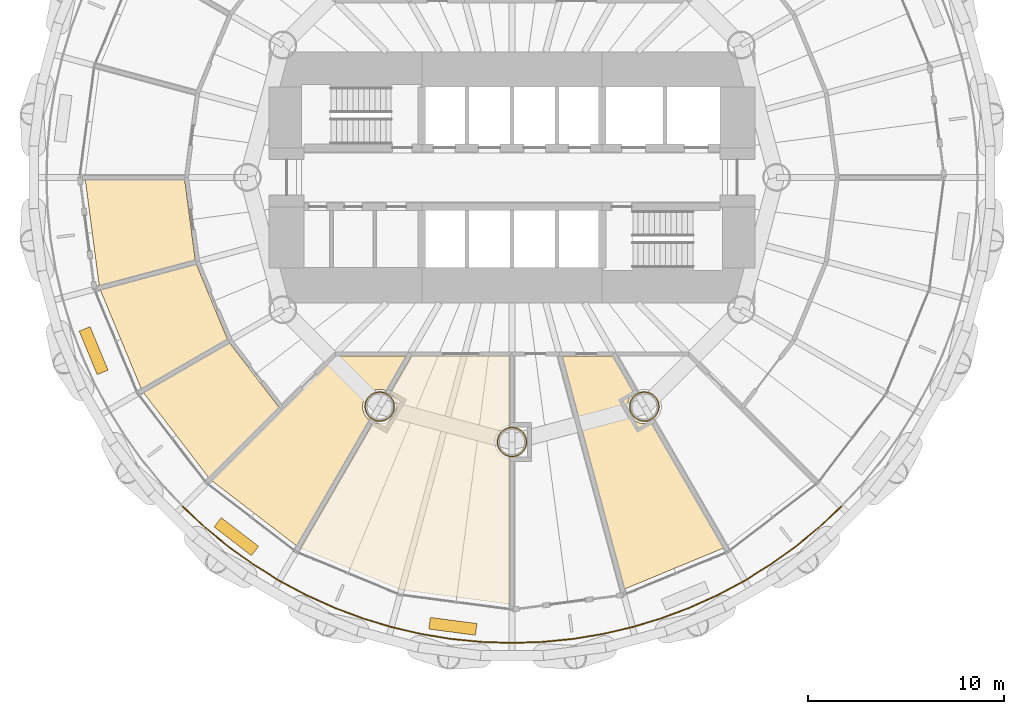
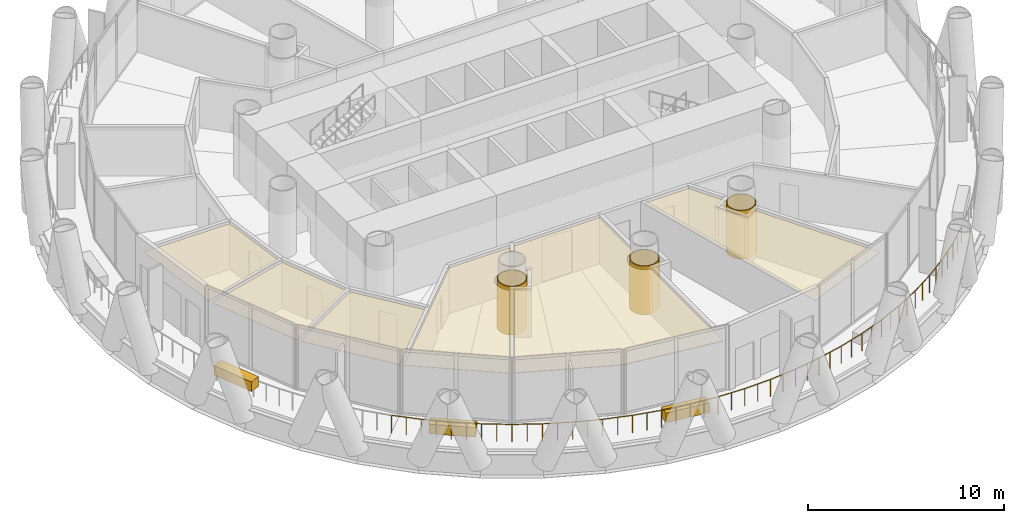
# One storey, part 13 of 16: 12 coverings, 1 railing.
"""IFC4 building model written with IfcOpenShell, lengths in metres."""

from ifc_helpers import new_model, si_unit, direction, frame, origin, origin_2d, place, context, subcontext, project, spatial, polyline, rectangle, circle, outline, extrude, material, layer, layer_set, type_object, element, save


model = new_model("IFC4")

# Units and contexts
model_context = context("Model", 3, precision=1e-05, world=origin(), true_north=direction((0.0, 1.0)))
body_context = subcontext(model_context, "Body", "Model", "MODEL_VIEW")
ifc_project = project(units=[si_unit("LENGTHUNIT", "METRE"), si_unit("AREAUNIT", "SQUARE_METRE"), si_unit("VOLUMEUNIT", "CUBIC_METRE"), si_unit("PLANEANGLEUNIT", "RADIAN"), si_unit("MASSUNIT", "GRAM", prefix="KILO")], contexts=[model_context])

# Site, building, storey
site_placement = place(None, origin())
site = spatial("IfcSite", under=ifc_project, at=site_placement, CompositionType="ELEMENT")
building_placement = place(site_placement, origin())
building = spatial("IfcBuilding", under=site, at=building_placement, Name="Qaws Media Tower", CompositionType="ELEMENT")
storey_placement = place(building_placement, frame((0.0, 0.0, 47.0)))
storey = spatial("IfcBuildingStorey", under=building, at=storey_placement, Name="L09", CompositionType="ELEMENT", Elevation=47.0)

# Covering
ifc_material_1 = material(Name="40 perforated acoustic panels with mineral wool backing, suspended", Category="mineral fibre")
ifc_layer_1 = layer(ifc_material_1, 0.0400390625)
ifc_layer_set_1 = layer_set([ifc_layer_1], Name="Acoustic panel ceiling 40")
covering_type_1 = type_object("IfcCoveringType", Name="Acoustic panel ceiling 40", PredefinedType="CEILING", material=ifc_layer_set_1)
covering_1_placement = place(storey_placement, frame((0.0, 0.0, 2.85009765625)))
element("IfcCovering", 1, at=covering_1_placement, inside=storey, type_object=covering_type_1, Name="CL3 ceiling L09-11 Audio dubbing theatre", PredefinedType="CEILING", context=body_context, shape_type="SweptSolid", body=[
    extrude(outline(polyline([(54.361572265625, 28.95703125), (49.212158203125, 31.090087890625), (52.91552734375, 37.50439453125), (53.024658203125, 37.46728515625), (53.13623046875, 37.445068359375), (53.25, 37.437744140625), (53.36376953125, 37.445068359375), (53.475341796875, 37.46728515625), (53.583251953125, 37.50390625), (53.685546875, 37.55419921875), (53.7802734375, 37.61767578125), (53.865966796875, 37.69287109375), (53.94091796875, 37.7783203125), (54.00439453125, 37.873291015625), (54.0546875, 37.975341796875), (54.09130859375, 38.083251953125), (54.113525390625, 38.195068359375), (54.12109375, 38.30859375), (54.113525390625, 38.42236328125), (54.09130859375, 38.5341796875), (54.0546875, 38.64208984375), (54.00439453125, 38.744140625), (53.94091796875, 38.8388671875), (53.865966796875, 38.924560546875), (53.779296875, 39.000244140625), (54.868896484375, 40.887451171875), (59.887451171875, 40.887451171875), (59.887451171875, 37.363525390625), (59.774658203125, 37.34130859375), (59.666748046875, 37.3046875), (59.564453125, 37.25439453125), (59.4697265625, 37.19091796875), (59.384033203125, 37.115966796875), (59.30908203125, 37.0302734375), (59.24560546875, 36.935546875), (59.1953125, 36.833251953125), (59.15869140625, 36.725341796875), (59.136474609375, 36.61376953125), (59.12890625, 36.5), (59.136474609375, 36.38623046875), (59.15869140625, 36.274658203125), (59.1953125, 36.166748046875), (59.24560546875, 36.064453125), (59.30908203125, 35.9697265625), (59.384033203125, 35.884033203125), (59.4697265625, 35.80908203125), (59.564453125, 35.74560546875), (59.666748046875, 35.6953125), (59.774658203125, 35.65869140625), (59.887451171875, 35.636474609375), (59.887451171875, 28.2294921875), (54.361572265625, 28.95703125)])), origin(), (0.0, 0.0, 1.0), 0.039794921875),
])

# Railing
ifc_material_2 = material(Name="Stainless steel and glass guard", Category="steel")
railing_type = type_object("IfcRailingType", Name="Balcony guard 1100", PredefinedType="GUARDRAIL", material=ifc_material_2)
railing_placement = place(storey_placement, frame((43.206298828125, 33.206298828125, 0.0)))
element("IfcRailing", 2, at=railing_placement, inside=storey, type_object=railing_type, Name="GR1 balcony guard L09-3", PredefinedType="GUARDRAIL", context=body_context, shape_type="SweptSolid", body=[
    extrude(circle(Radius=0.02392578125, at=origin_2d()), frame((0.0, 0.0, 1.076171875), z_axis=(0.729821267522, -0.683638001777, 0.0), x_axis=(0.683638001777, 0.729821267522, 0.0)), (0.0, 0.0, 1.0), 1.55419921875),
    extrude(circle(Radius=0.02392578125, at=origin_2d()), frame((1.13427734375, -1.0625, 1.076171875), z_axis=(0.773053617773, -0.634340684529, 0.0), x_axis=(0.634340684529, 0.773053617773, 0.0)), (0.0, 0.0, 1.0), 1.55419921875),
    extrude(circle(Radius=0.02392578125, at=origin_2d()), frame((2.335693359375, -2.04833984375, 1.076171875), z_axis=(0.812819606983, -0.582515481773, 0.0), x_axis=(0.582515481773, 0.812819606983, 0.0)), (0.0, 0.0, 1.0), 1.553955078125),
    extrude(circle(Radius=0.02392578125, at=origin_2d()), frame((3.598876953125, -2.95361328125, 1.076171875), z_axis=(0.849178711534, -0.528105591598, 0.0), x_axis=(0.528105591598, 0.849178711534, 0.0)), (0.0, 0.0, 1.0), 1.55419921875),
    extrude(circle(Radius=0.02392578125, at=origin_2d()), frame((4.918701171875, -3.7744140625, 1.076171875), z_axis=(0.881904644069, -0.471427829863, 0.0), x_axis=(0.471427829863, 0.881904644069, 0.0)), (0.0, 0.0, 1.0), 1.55419921875),
    extrude(circle(Radius=0.02392578125, at=origin_2d()), frame((6.289306640625, -4.507080078125, 1.076171875), z_axis=(0.910892916881, -0.412642816459, 0.0), x_axis=(0.412642816459, 0.910892916881, 0.0)), (0.0, 0.0, 1.0), 1.55419921875),
    extrude(circle(Radius=0.02392578125, at=origin_2d()), frame((7.705078125, -5.1484375, 1.076171875), z_axis=(0.935908829299, -0.352242335956, 0.0), x_axis=(0.352242335956, 0.935908829299, 0.0)), (0.0, 0.0, 1.0), 1.553955078125),
    extrude(circle(Radius=0.02392578125, at=origin_2d()), frame((9.159423828125, -5.69580078125, 1.076171875), z_axis=(0.956939811961, -0.290286403891, 0.0), x_axis=(0.290286403891, 0.956939811961, 0.0)), (0.0, 0.0, 1.0), 1.55419921875),
    extrude(circle(Radius=0.02392578125, at=origin_2d()), frame((10.646728515625, -6.14697265625, 1.076171875), z_axis=(0.97386437695, -0.227130304689, 0.0), x_axis=(0.227130304689, 0.97386437695, 0.0)), (0.0, 0.0, 1.0), 1.55419921875),
    extrude(circle(Radius=0.02392578125, at=origin_2d()), frame((12.160400390625, -6.5, 1.076171875), z_axis=(0.986639094643, -0.162921137125, 0.0), x_axis=(0.162921137125, 0.986639094643, 0.0)), (0.0, 0.0, 1.0), 1.553955078125),
    extrude(circle(Radius=0.02392578125, at=origin_2d()), frame((13.693603515625, -6.753173828125, 1.076171875), z_axis=(0.995185362969, -0.098010679686, 0.0), x_axis=(0.098010679686, 0.995185362969, 0.0)), (0.0, 0.0, 1.0), 1.554443359375),
    extrude(circle(Radius=0.02392578125, at=origin_2d()), frame((15.240478515625, -6.905517578125, 1.076171875), z_axis=(0.999465975293, -0.032676661877, 0.0), x_axis=(0.032676661877, 0.999465975293, 0.0)), (0.0, 0.0, 1.0), 1.553955078125),
    extrude(circle(Radius=0.02392578125, at=origin_2d()), frame((16.793701171875, -6.956298828125, 1.076171875), z_axis=(0.999465975293, 0.032676661877, 0.0), x_axis=(-0.032676661877, 0.999465975293, 0.0)), (0.0, 0.0, 1.0), 1.553955078125),
    extrude(circle(Radius=0.02392578125, at=origin_2d()), frame((18.346923828125, -6.905517578125, 1.076171875), z_axis=(0.995185362969, 0.098010679686, 0.0), x_axis=(-0.098010679686, 0.995185362969, 0.0)), (0.0, 0.0, 1.0), 1.554443359375),
    extrude(circle(Radius=0.02392578125, at=origin_2d()), frame((19.893798828125, -6.753173828125, 1.076171875), z_axis=(0.986639094643, 0.162921137125, 0.0), x_axis=(-0.162921137125, 0.986639094643, 0.0)), (0.0, 0.0, 1.0), 1.553955078125),
    extrude(circle(Radius=0.02392578125, at=origin_2d()), frame((21.427001953125, -6.5, 1.076171875), z_axis=(0.97386437695, 0.227130304689, 0.0), x_axis=(-0.227130304689, 0.97386437695, 0.0)), (0.0, 0.0, 1.0), 1.55419921875),
    extrude(circle(Radius=0.02392578125, at=origin_2d()), frame((22.940673828125, -6.14697265625, 1.076171875), z_axis=(0.956939811961, 0.290286403891, 0.0), x_axis=(-0.290286403891, 0.956939811961, 0.0)), (0.0, 0.0, 1.0), 1.55419921875),
    extrude(circle(Radius=0.02392578125, at=origin_2d()), frame((24.427978515625, -5.69580078125, 1.076171875), z_axis=(0.935908829299, 0.352242335956, 0.0), x_axis=(-0.352242335956, 0.935908829299, 0.0)), (0.0, 0.0, 1.0), 1.553955078125),
    extrude(circle(Radius=0.02392578125, at=origin_2d()), frame((25.88232421875, -5.1484375, 1.076171875), z_axis=(0.910892916881, 0.412642816459, 0.0), x_axis=(-0.412642816459, 0.910892916881, 0.0)), (0.0, 0.0, 1.0), 1.55419921875),
    extrude(circle(Radius=0.02392578125, at=origin_2d()), frame((27.298095703125, -4.507080078125, 1.076171875), z_axis=(0.881904644069, 0.471427829863, 0.0), x_axis=(-0.471427829863, 0.881904644069, 0.0)), (0.0, 0.0, 1.0), 1.55419921875),
    extrude(circle(Radius=0.02392578125, at=origin_2d()), frame((28.668701171875, -3.7744140625, 1.076171875), z_axis=(0.849178711534, 0.528105591598, 0.0), x_axis=(-0.528105591598, 0.849178711534, 0.0)), (0.0, 0.0, 1.0), 1.55419921875),
    extrude(circle(Radius=0.02392578125, at=origin_2d()), frame((29.988525390625, -2.95361328125, 1.076171875), z_axis=(0.812819606983, 0.582515481773, 0.0), x_axis=(-0.582515481773, 0.812819606983, 0.0)), (0.0, 0.0, 1.0), 1.553955078125),
    extrude(circle(Radius=0.02392578125, at=origin_2d()), frame((31.251708984375, -2.04833984375, 1.076171875), z_axis=(0.773053617773, 0.634340684529, 0.0), x_axis=(-0.634340684529, 0.773053617773, 0.0)), (0.0, 0.0, 1.0), 1.55419921875),
    extrude(circle(Radius=0.02392578125, at=origin_2d()), frame((32.453125, -1.0625, 1.076171875), z_axis=(0.729821267522, 0.683638001777, 0.0), x_axis=(-0.683638001777, 0.729821267522, 0.0)), (0.0, 0.0, 1.0), 1.55419921875),
    extrude(circle(Radius=0.02099609375, at=origin_2d()), origin(), (0.0, 0.0, 1.0), 1.052001953125),
    extrude(circle(Radius=0.02099609375, at=origin_2d()), frame((0.567138671875, -0.53125, 0.0)), (0.0, 0.0, 1.0), 1.052001953125),
    extrude(circle(Radius=0.02099609375, at=origin_2d()), frame((1.13427734375, -1.0625, 0.0)), (0.0, 0.0, 1.0), 1.052001953125),
    extrude(circle(Radius=0.02099609375, at=origin_2d()), frame((1.73486328125, -1.555419921875, 0.0)), (0.0, 0.0, 1.0), 1.052001953125),
    extrude(circle(Radius=0.02099609375, at=origin_2d()), frame((2.335693359375, -2.04833984375, 0.0)), (0.0, 0.0, 1.0), 1.052001953125),
    extrude(circle(Radius=0.02099609375, at=origin_2d()), frame((2.96728515625, -2.5009765625, 0.0)), (0.0, 0.0, 1.0), 1.052001953125),
    extrude(circle(Radius=0.02099609375, at=origin_2d()), frame((3.598876953125, -2.95361328125, 0.0)), (0.0, 0.0, 1.0), 1.052001953125),
    extrude(circle(Radius=0.02099609375, at=origin_2d()), frame((4.2587890625, -3.364013671875, 0.0)), (0.0, 0.0, 1.0), 1.052001953125),
    extrude(circle(Radius=0.02099609375, at=origin_2d()), frame((4.918701171875, -3.7744140625, 0.0)), (0.0, 0.0, 1.0), 1.052001953125),
    extrude(circle(Radius=0.02099609375, at=origin_2d()), frame((5.60400390625, -4.140625, 0.0)), (0.0, 0.0, 1.0), 1.052001953125),
    extrude(circle(Radius=0.02099609375, at=origin_2d()), frame((6.289306640625, -4.507080078125, 0.0)), (0.0, 0.0, 1.0), 1.052001953125),
    extrude(circle(Radius=0.02099609375, at=origin_2d()), frame((6.9970703125, -4.82763671875, 0.0)), (0.0, 0.0, 1.0), 1.052001953125),
    extrude(circle(Radius=0.02099609375, at=origin_2d()), frame((7.705078125, -5.1484375, 0.0)), (0.0, 0.0, 1.0), 1.052001953125),
    extrude(circle(Radius=0.02099609375, at=origin_2d()), frame((8.43212890625, -5.422119140625, 0.0)), (0.0, 0.0, 1.0), 1.052001953125),
    extrude(circle(Radius=0.02099609375, at=origin_2d()), frame((9.159423828125, -5.69580078125, 0.0)), (0.0, 0.0, 1.0), 1.052001953125),
    extrude(circle(Radius=0.02099609375, at=origin_2d()), frame((9.903076171875, -5.92138671875, 0.0)), (0.0, 0.0, 1.0), 1.052001953125),
    extrude(circle(Radius=0.02099609375, at=origin_2d()), frame((10.646728515625, -6.14697265625, 0.0)), (0.0, 0.0, 1.0), 1.052001953125),
    extrude(circle(Radius=0.02099609375, at=origin_2d()), frame((11.403564453125, -6.323486328125, 0.0)), (0.0, 0.0, 1.0), 1.052001953125),
    extrude(circle(Radius=0.02099609375, at=origin_2d()), frame((12.160400390625, -6.5, 0.0)), (0.0, 0.0, 1.0), 1.052001953125),
    extrude(circle(Radius=0.02099609375, at=origin_2d()), frame((12.927001953125, -6.62646484375, 0.0)), (0.0, 0.0, 1.0), 1.052001953125),
    extrude(circle(Radius=0.02099609375, at=origin_2d()), frame((13.693603515625, -6.753173828125, 0.0)), (0.0, 0.0, 1.0), 1.052001953125),
    extrude(circle(Radius=0.02099609375, at=origin_2d()), frame((14.467041015625, -6.829345703125, 0.0)), (0.0, 0.0, 1.0), 1.052001953125),
    extrude(circle(Radius=0.02099609375, at=origin_2d()), frame((15.240478515625, -6.905517578125, 0.0)), (0.0, 0.0, 1.0), 1.052001953125),
    extrude(circle(Radius=0.02099609375, at=origin_2d()), frame((16.01708984375, -6.930908203125, 0.0)), (0.0, 0.0, 1.0), 1.052001953125),
    extrude(circle(Radius=0.02099609375, at=origin_2d()), frame((16.793701171875, -6.956298828125, 0.0)), (0.0, 0.0, 1.0), 1.052001953125),
    extrude(circle(Radius=0.02099609375, at=origin_2d()), frame((17.5703125, -6.930908203125, 0.0)), (0.0, 0.0, 1.0), 1.052001953125),
    extrude(circle(Radius=0.02099609375, at=origin_2d()), frame((18.346923828125, -6.905517578125, 0.0)), (0.0, 0.0, 1.0), 1.052001953125),
    extrude(circle(Radius=0.02099609375, at=origin_2d()), frame((19.120361328125, -6.829345703125, 0.0)), (0.0, 0.0, 1.0), 1.052001953125),
    extrude(circle(Radius=0.02099609375, at=origin_2d()), frame((19.893798828125, -6.753173828125, 0.0)), (0.0, 0.0, 1.0), 1.052001953125),
    extrude(circle(Radius=0.02099609375, at=origin_2d()), frame((20.660400390625, -6.62646484375, 0.0)), (0.0, 0.0, 1.0), 1.052001953125),
    extrude(circle(Radius=0.02099609375, at=origin_2d()), frame((21.427001953125, -6.5, 0.0)), (0.0, 0.0, 1.0), 1.052001953125),
    extrude(circle(Radius=0.02099609375, at=origin_2d()), frame((22.183837890625, -6.323486328125, 0.0)), (0.0, 0.0, 1.0), 1.052001953125),
    extrude(circle(Radius=0.02099609375, at=origin_2d()), frame((22.940673828125, -6.14697265625, 0.0)), (0.0, 0.0, 1.0), 1.052001953125),
    extrude(circle(Radius=0.02099609375, at=origin_2d()), frame((23.684326171875, -5.92138671875, 0.0)), (0.0, 0.0, 1.0), 1.052001953125),
    extrude(circle(Radius=0.02099609375, at=origin_2d()), frame((24.427978515625, -5.69580078125, 0.0)), (0.0, 0.0, 1.0), 1.052001953125),
    extrude(circle(Radius=0.02099609375, at=origin_2d()), frame((25.1552734375, -5.422119140625, 0.0)), (0.0, 0.0, 1.0), 1.052001953125),
    extrude(circle(Radius=0.02099609375, at=origin_2d()), frame((25.88232421875, -5.1484375, 0.0)), (0.0, 0.0, 1.0), 1.052001953125),
    extrude(circle(Radius=0.02099609375, at=origin_2d()), frame((26.59033203125, -4.82763671875, 0.0)), (0.0, 0.0, 1.0), 1.052001953125),
    extrude(circle(Radius=0.02099609375, at=origin_2d()), frame((27.298095703125, -4.507080078125, 0.0)), (0.0, 0.0, 1.0), 1.052001953125),
    extrude(circle(Radius=0.02099609375, at=origin_2d()), frame((27.9833984375, -4.140625, 0.0)), (0.0, 0.0, 1.0), 1.052001953125),
    extrude(circle(Radius=0.02099609375, at=origin_2d()), frame((28.668701171875, -3.7744140625, 0.0)), (0.0, 0.0, 1.0), 1.052001953125),
    extrude(circle(Radius=0.02099609375, at=origin_2d()), frame((29.32861328125, -3.364013671875, 0.0)), (0.0, 0.0, 1.0), 1.052001953125),
    extrude(circle(Radius=0.02099609375, at=origin_2d()), frame((29.988525390625, -2.95361328125, 0.0)), (0.0, 0.0, 1.0), 1.052001953125),
    extrude(circle(Radius=0.02099609375, at=origin_2d()), frame((30.6201171875, -2.5009765625, 0.0)), (0.0, 0.0, 1.0), 1.052001953125),
    extrude(circle(Radius=0.02099609375, at=origin_2d()), frame((31.251708984375, -2.04833984375, 0.0)), (0.0, 0.0, 1.0), 1.052001953125),
    extrude(circle(Radius=0.02099609375, at=origin_2d()), frame((31.8525390625, -1.555419921875, 0.0)), (0.0, 0.0, 1.0), 1.052001953125),
    extrude(circle(Radius=0.02099609375, at=origin_2d()), frame((32.453125, -1.0625, 0.0)), (0.0, 0.0, 1.0), 1.052001953125),
    extrude(circle(Radius=0.02099609375, at=origin_2d()), frame((33.020263671875, -0.53125, 0.0)), (0.0, 0.0, 1.0), 1.052001953125),
    extrude(circle(Radius=0.02099609375, at=origin_2d()), frame((33.58740234375, 0.0, 0.0)), (0.0, 0.0, 1.0), 1.052001953125),
])

# Coverings
ifc_material_3 = material(Name="Two layers 15 fire-rated gypsum board on steel framing", Category="steel")
ifc_layer_2 = layer(ifc_material_3, 0.050048828125)
ifc_layer_set_2 = layer_set([ifc_layer_2], Name="Column fire casing")
covering_type_2 = type_object("IfcCoveringType", Name="Column fire casing", PredefinedType="CLADDING", material=ifc_layer_set_2)
covering_2_placement = place(storey_placement, origin())
element("IfcCovering", 3, at=covering_2_placement, inside=storey, type_object=covering_type_2, Name="CC1 column casing L09", PredefinedType="CLADDING", context=body_context, shape_type="SweptSolid", body=[
    extrude(outline(polyline([(54.01611328125, 38.30859375), (54.009521484375, 38.208740234375), (53.989990234375, 38.1103515625), (53.957763671875, 38.015380859375), (53.913330078125, 37.92578125), (53.857666015625, 37.84228515625), (53.79150390625, 37.76708984375), (53.71630859375, 37.700927734375), (53.633056640625, 37.645263671875), (53.543212890625, 37.60107421875), (53.4482421875, 37.56884765625), (53.35009765625, 37.54931640625), (53.25, 37.542724609375), (53.14990234375, 37.54931640625), (53.0517578125, 37.56884765625), (52.956787109375, 37.60107421875), (52.866943359375, 37.645263671875), (52.78369140625, 37.700927734375), (52.70849609375, 37.76708984375), (52.642333984375, 37.84228515625), (52.586669921875, 37.92578125), (52.542236328125, 38.015380859375), (52.510009765625, 38.1103515625), (52.490478515625, 38.208740234375), (52.48388671875, 38.30859375), (52.490478515625, 38.40869140625), (52.510009765625, 38.5068359375), (52.542236328125, 38.601806640625), (52.586669921875, 38.691650390625), (52.642333984375, 38.77490234375), (52.70849609375, 38.850341796875), (52.78369140625, 38.91650390625), (52.866943359375, 38.971923828125), (52.956787109375, 39.016357421875), (53.0517578125, 39.048583984375), (53.14990234375, 39.068115234375), (53.25, 39.07470703125), (53.35009765625, 39.068115234375), (53.4482421875, 39.048583984375), (53.543212890625, 39.016357421875), (53.633056640625, 38.971923828125), (53.71630859375, 38.91650390625), (53.79150390625, 38.850341796875), (53.857666015625, 38.77490234375), (53.913330078125, 38.691650390625), (53.957763671875, 38.601806640625), (53.989990234375, 38.5068359375), (54.009521484375, 38.40869140625), (54.01611328125, 38.30859375)]), holes=[polyline([(53.964111328125, 38.30859375), (53.9580078125, 38.215576171875), (53.939697265625, 38.123779296875), (53.90966796875, 38.035400390625), (53.868408203125, 37.95166015625), (53.81640625, 37.8740234375), (53.7548828125, 37.8037109375), (53.684814453125, 37.7421875), (53.60693359375, 37.690185546875), (53.523193359375, 37.64892578125), (53.434814453125, 37.618896484375), (53.34326171875, 37.600830078125), (53.25, 37.5947265625), (53.15673828125, 37.600830078125), (53.065185546875, 37.618896484375), (52.976806640625, 37.64892578125), (52.89306640625, 37.690185546875), (52.815185546875, 37.7421875), (52.7451171875, 37.8037109375), (52.68359375, 37.8740234375), (52.631591796875, 37.95166015625), (52.59033203125, 38.035400390625), (52.560302734375, 38.123779296875), (52.5419921875, 38.215576171875), (52.535888671875, 38.30859375), (52.5419921875, 38.40185546875), (52.560302734375, 38.493408203125), (52.59033203125, 38.581787109375), (52.631591796875, 38.665771484375), (52.68359375, 38.743408203125), (52.7451171875, 38.8134765625), (52.815185546875, 38.875), (52.89306640625, 38.927001953125), (52.976806640625, 38.96826171875), (53.065185546875, 38.998291015625), (53.15673828125, 39.0166015625), (53.25, 39.022705078125), (53.34326171875, 39.0166015625), (53.434814453125, 38.998291015625), (53.523193359375, 38.96826171875), (53.60693359375, 38.927001953125), (53.684814453125, 38.875), (53.7548828125, 38.8134765625), (53.81640625, 38.743408203125), (53.868408203125, 38.665771484375), (53.90966796875, 38.581787109375), (53.939697265625, 38.493408203125), (53.9580078125, 38.40185546875), (53.964111328125, 38.30859375)])]), origin(), (0.0, 0.0, 1.0), 3.02001953125),
])
covering_3_placement = place(storey_placement, origin())
element("IfcCovering", 4, at=covering_3_placement, inside=storey, type_object=covering_type_2, Name="CC1 column casing L09", PredefinedType="CLADDING", context=body_context, shape_type="SweptSolid", body=[
    extrude(outline(polyline([(60.76611328125, 36.5), (60.759521484375, 36.39990234375), (60.739990234375, 36.3017578125), (60.707763671875, 36.206787109375), (60.663330078125, 36.116943359375), (60.607666015625, 36.03369140625), (60.54150390625, 35.95849609375), (60.46630859375, 35.892333984375), (60.383056640625, 35.836669921875), (60.293212890625, 35.792236328125), (60.1982421875, 35.760009765625), (60.10009765625, 35.740478515625), (60.0, 35.73388671875), (59.89990234375, 35.740478515625), (59.8017578125, 35.760009765625), (59.706787109375, 35.792236328125), (59.616943359375, 35.836669921875), (59.53369140625, 35.892333984375), (59.45849609375, 35.95849609375), (59.392333984375, 36.03369140625), (59.336669921875, 36.116943359375), (59.292236328125, 36.206787109375), (59.260009765625, 36.3017578125), (59.240478515625, 36.39990234375), (59.23388671875, 36.5), (59.240478515625, 36.60009765625), (59.260009765625, 36.6982421875), (59.292236328125, 36.793212890625), (59.336669921875, 36.883056640625), (59.392333984375, 36.96630859375), (59.45849609375, 37.04150390625), (59.53369140625, 37.107666015625), (59.616943359375, 37.163330078125), (59.706787109375, 37.207763671875), (59.8017578125, 37.239990234375), (59.89990234375, 37.259521484375), (60.0, 37.26611328125), (60.10009765625, 37.259521484375), (60.1982421875, 37.239990234375), (60.293212890625, 37.207763671875), (60.383056640625, 37.163330078125), (60.46630859375, 37.107666015625), (60.54150390625, 37.04150390625), (60.607666015625, 36.96630859375), (60.663330078125, 36.883056640625), (60.707763671875, 36.793212890625), (60.739990234375, 36.6982421875), (60.759521484375, 36.60009765625), (60.76611328125, 36.5)]), holes=[polyline([(60.714111328125, 36.5), (60.7080078125, 36.40673828125), (60.689697265625, 36.315185546875), (60.65966796875, 36.226806640625), (60.618408203125, 36.14306640625), (60.56640625, 36.065185546875), (60.5048828125, 35.9951171875), (60.434814453125, 35.93359375), (60.35693359375, 35.881591796875), (60.273193359375, 35.84033203125), (60.184814453125, 35.810302734375), (60.09326171875, 35.7919921875), (60.0, 35.785888671875), (59.90673828125, 35.7919921875), (59.815185546875, 35.810302734375), (59.726806640625, 35.84033203125), (59.64306640625, 35.881591796875), (59.565185546875, 35.93359375), (59.4951171875, 35.9951171875), (59.43359375, 36.065185546875), (59.381591796875, 36.14306640625), (59.34033203125, 36.226806640625), (59.310302734375, 36.315185546875), (59.2919921875, 36.40673828125), (59.285888671875, 36.5), (59.2919921875, 36.59326171875), (59.310302734375, 36.684814453125), (59.34033203125, 36.773193359375), (59.381591796875, 36.85693359375), (59.43359375, 36.934814453125), (59.4951171875, 37.0048828125), (59.565185546875, 37.06640625), (59.64306640625, 37.118408203125), (59.726806640625, 37.15966796875), (59.815185546875, 37.189697265625), (59.90673828125, 37.2080078125), (60.0, 37.214111328125), (60.09326171875, 37.2080078125), (60.184814453125, 37.189697265625), (60.273193359375, 37.15966796875), (60.35693359375, 37.118408203125), (60.434814453125, 37.06640625), (60.5048828125, 37.0048828125), (60.56640625, 36.934814453125), (60.618408203125, 36.85693359375), (60.65966796875, 36.773193359375), (60.689697265625, 36.684814453125), (60.7080078125, 36.59326171875), (60.714111328125, 36.5)])]), origin(), (0.0, 0.0, 1.0), 3.02001953125),
])
covering_4_placement = place(storey_placement, origin())
element("IfcCovering", 5, at=covering_4_placement, inside=storey, type_object=covering_type_2, Name="CC1 column casing L09", PredefinedType="CLADDING", context=body_context, shape_type="SweptSolid", body=[
    extrude(outline(polyline([(67.51611328125, 38.30859375), (67.509521484375, 38.208740234375), (67.489990234375, 38.1103515625), (67.457763671875, 38.015380859375), (67.413330078125, 37.92578125), (67.357666015625, 37.84228515625), (67.29150390625, 37.76708984375), (67.21630859375, 37.700927734375), (67.133056640625, 37.645263671875), (67.043212890625, 37.60107421875), (66.9482421875, 37.56884765625), (66.85009765625, 37.54931640625), (66.75, 37.542724609375), (66.64990234375, 37.54931640625), (66.5517578125, 37.56884765625), (66.456787109375, 37.60107421875), (66.366943359375, 37.645263671875), (66.28369140625, 37.700927734375), (66.20849609375, 37.76708984375), (66.142333984375, 37.84228515625), (66.086669921875, 37.92578125), (66.042236328125, 38.015380859375), (66.010009765625, 38.1103515625), (65.990478515625, 38.208740234375), (65.98388671875, 38.30859375), (65.990478515625, 38.40869140625), (66.010009765625, 38.5068359375), (66.042236328125, 38.601806640625), (66.086669921875, 38.691650390625), (66.142333984375, 38.77490234375), (66.20849609375, 38.850341796875), (66.28369140625, 38.91650390625), (66.366943359375, 38.971923828125), (66.456787109375, 39.016357421875), (66.5517578125, 39.048583984375), (66.64990234375, 39.068115234375), (66.75, 39.07470703125), (66.85009765625, 39.068115234375), (66.9482421875, 39.048583984375), (67.043212890625, 39.016357421875), (67.133056640625, 38.971923828125), (67.21630859375, 38.91650390625), (67.29150390625, 38.850341796875), (67.357666015625, 38.77490234375), (67.413330078125, 38.691650390625), (67.457763671875, 38.601806640625), (67.489990234375, 38.5068359375), (67.509521484375, 38.40869140625), (67.51611328125, 38.30859375)]), holes=[polyline([(67.464111328125, 38.30859375), (67.4580078125, 38.215576171875), (67.439697265625, 38.123779296875), (67.40966796875, 38.035400390625), (67.368408203125, 37.95166015625), (67.31640625, 37.8740234375), (67.2548828125, 37.8037109375), (67.184814453125, 37.7421875), (67.10693359375, 37.690185546875), (67.023193359375, 37.64892578125), (66.934814453125, 37.618896484375), (66.84326171875, 37.600830078125), (66.75, 37.5947265625), (66.65673828125, 37.600830078125), (66.565185546875, 37.618896484375), (66.476806640625, 37.64892578125), (66.39306640625, 37.690185546875), (66.315185546875, 37.7421875), (66.2451171875, 37.8037109375), (66.18359375, 37.8740234375), (66.131591796875, 37.95166015625), (66.09033203125, 38.035400390625), (66.060302734375, 38.123779296875), (66.0419921875, 38.215576171875), (66.035888671875, 38.30859375), (66.0419921875, 38.40185546875), (66.060302734375, 38.493408203125), (66.09033203125, 38.581787109375), (66.131591796875, 38.665771484375), (66.18359375, 38.743408203125), (66.2451171875, 38.8134765625), (66.315185546875, 38.875), (66.39306640625, 38.927001953125), (66.476806640625, 38.96826171875), (66.565185546875, 38.998291015625), (66.65673828125, 39.0166015625), (66.75, 39.022705078125), (66.84326171875, 39.0166015625), (66.934814453125, 38.998291015625), (67.023193359375, 38.96826171875), (67.10693359375, 38.927001953125), (67.184814453125, 38.875), (67.2548828125, 38.8134765625), (67.31640625, 38.743408203125), (67.368408203125, 38.665771484375), (67.40966796875, 38.581787109375), (67.439697265625, 38.493408203125), (67.4580078125, 38.40185546875), (67.464111328125, 38.30859375)])]), origin(), (0.0, 0.0, 1.0), 3.02001953125),
])
ifc_material_4 = material(Name="600 x 600 mineral fibre tiles in exposed grid, suspended", Category="mineral fibre")
ifc_layer_3 = layer(ifc_material_4, 0.02001953125)
ifc_layer_set_3 = layer_set([ifc_layer_3], Name="Mineral fibre tile ceiling 20")
covering_type_3 = type_object("IfcCoveringType", Name="Mineral fibre tile ceiling 20", PredefinedType="CEILING", material=ifc_layer_set_3)
covering_5_placement = place(storey_placement, frame((0.0, 0.0, 2.85009765625)))
element("IfcCovering", 6, at=covering_5_placement, inside=storey, type_object=covering_type_3, Name="CL1 ceiling L09-07 Edit room", PredefinedType="CEILING", context=body_context, shape_type="SweptSolid", body=[
    extrude(outline(polyline([(38.2294921875, 49.887451171875), (43.30126953125, 49.887451171875), (43.84130859375, 45.78662109375), (38.9423828125, 44.47412109375), (38.2294921875, 49.887451171875)])), origin(), (0.0, 0.0, 1.0), 0.02001953125),
])
covering_6_placement = place(storey_placement, frame((0.0, 0.0, 2.85009765625)))
element("IfcCovering", 7, at=covering_6_placement, inside=storey, type_object=covering_type_3, Name="CL1 ceiling L09-08 Edit room", PredefinedType="CEILING", context=body_context, shape_type="SweptSolid", body=[
    extrude(outline(polyline([(39.00048828125, 44.256591796875), (43.8994140625, 45.5693359375), (45.482421875, 41.748046875), (41.090087890625, 39.212158203125), (39.00048828125, 44.256591796875)])), origin(), (0.0, 0.0, 1.0), 0.02001953125),
])
covering_7_placement = place(storey_placement, frame((0.0, 0.0, 2.85009765625)))
element("IfcCovering", 8, at=covering_7_placement, inside=storey, type_object=covering_type_3, Name="CL1 ceiling L09-09 Edit room", PredefinedType="CEILING", context=body_context, shape_type="SweptSolid", body=[
    extrude(outline(polyline([(41.202392578125, 39.017333984375), (45.5947265625, 41.55322265625), (48.11279296875, 38.271728515625), (44.5263671875, 34.685546875), (41.202392578125, 39.017333984375)])), origin(), (0.0, 0.0, 1.0), 0.02001953125),
])
covering_8_placement = place(storey_placement, frame((0.0, 0.0, 2.85009765625)))
element("IfcCovering", 9, at=covering_8_placement, inside=storey, type_object=covering_type_3, Name="CL1 ceiling L09-10 Edit room", PredefinedType="CEILING", context=body_context, shape_type="SweptSolid", body=[
    extrude(outline(polyline([(44.685546875, 34.5263671875), (51.046630859375, 40.887451171875), (54.60888671875, 40.887451171875), (53.58447265625, 39.11279296875), (53.475341796875, 39.14990234375), (53.36376953125, 39.172119140625), (53.25, 39.1796875), (53.13623046875, 39.172119140625), (53.024658203125, 39.14990234375), (52.916748046875, 39.11328125), (52.814453125, 39.06298828125), (52.7197265625, 38.999755859375), (52.634033203125, 38.924560546875), (52.55908203125, 38.8388671875), (52.49560546875, 38.744140625), (52.4453125, 38.64208984375), (52.40869140625, 38.5341796875), (52.386474609375, 38.42236328125), (52.37890625, 38.30859375), (52.386474609375, 38.195068359375), (52.40869140625, 38.083251953125), (52.4453125, 37.975341796875), (52.49560546875, 37.873291015625), (52.55908203125, 37.7783203125), (52.634033203125, 37.69287109375), (52.720703125, 37.616943359375), (49.017333984375, 31.202392578125), (44.685546875, 34.5263671875)])), origin(), (0.0, 0.0, 1.0), 0.02001953125),
])
covering_9_placement = place(storey_placement, frame((0.0, 0.0, 2.85009765625)))
element("IfcCovering", 10, at=covering_9_placement, inside=storey, type_object=covering_type_3, Name="CL1 ceiling L09-13 Gents toilets", PredefinedType="CEILING", context=body_context, shape_type="SweptSolid", body=[
    extrude(outline(polyline([(65.743408203125, 29.00048828125), (62.55810546875, 40.887451171875), (65.131103515625, 40.887451171875), (66.220703125, 39.000244140625), (66.134033203125, 38.924560546875), (66.05908203125, 38.8388671875), (65.99560546875, 38.744140625), (65.9453125, 38.64208984375), (65.90869140625, 38.5341796875), (65.886474609375, 38.42236328125), (65.87890625, 38.30859375), (65.886474609375, 38.195068359375), (65.90869140625, 38.083251953125), (65.9453125, 37.975341796875), (65.99560546875, 37.873291015625), (66.05908203125, 37.7783203125), (66.134033203125, 37.69287109375), (66.2197265625, 37.61767578125), (66.314453125, 37.55419921875), (66.416748046875, 37.50390625), (66.524658203125, 37.46728515625), (66.63623046875, 37.445068359375), (66.75, 37.437744140625), (66.86376953125, 37.445068359375), (66.975341796875, 37.46728515625), (67.08447265625, 37.50439453125), (70.787841796875, 31.090087890625), (65.743408203125, 29.00048828125)])), origin(), (0.0, 0.0, 1.0), 0.02001953125),
])
ifc_material_5 = material(Name="Precast concrete planter with trailing planting", Category="concrete")
ifc_layer_4 = layer(ifc_material_5, 0.60009765625)
ifc_layer_set_4 = layer_set([ifc_layer_4], Name="Planter 2400x600")
covering_type_4 = type_object("IfcCoveringType", Name="Planter 2400x600", PredefinedType="USERDEFINED", material=ifc_layer_set_4)
for number, where, z_axis, x_axis, name in (
    (11, (38.658447265625, 41.159912109375, 0.0), (0.0, 0.0, 1.0), (0.382683432365, -0.923879532511, 0.0), "PL1 balcony planter L09-07"),
    (12, (45.9375, 31.673583984375, 0.0), (0.0, 0.0, 1.0), (0.793353340291, -0.608761429009, 0.0), "PL1 balcony planter L09-08"),
    (13, (56.98486328125, 27.09765625, 0.0), (0.0, 0.0, 1.0), (0.991444861374, -0.13052619222, 0.0), "PL1 balcony planter L09-09"),
):
    element("IfcCovering", number, at=place(storey_placement, frame(where, z_axis=z_axis, x_axis=x_axis)), inside=storey, type_object=covering_type_4, Name=name, ObjectType="PLANTER", PredefinedType="USERDEFINED", context=body_context, shape_type="SweptSolid", body=[
        extrude(rectangle(XDim=2.39990234375, YDim=0.60009765625, at=origin_2d()), origin(), (0.0, 0.0, 1.0), 0.60009765625),
    ])

save(model, "model.ifc")
